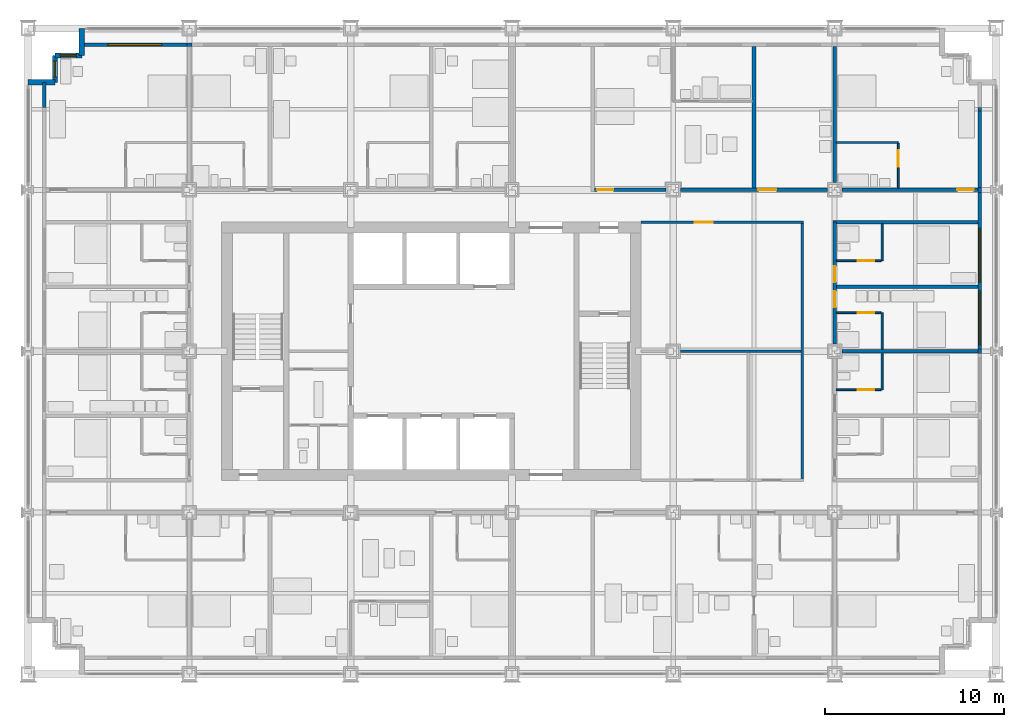
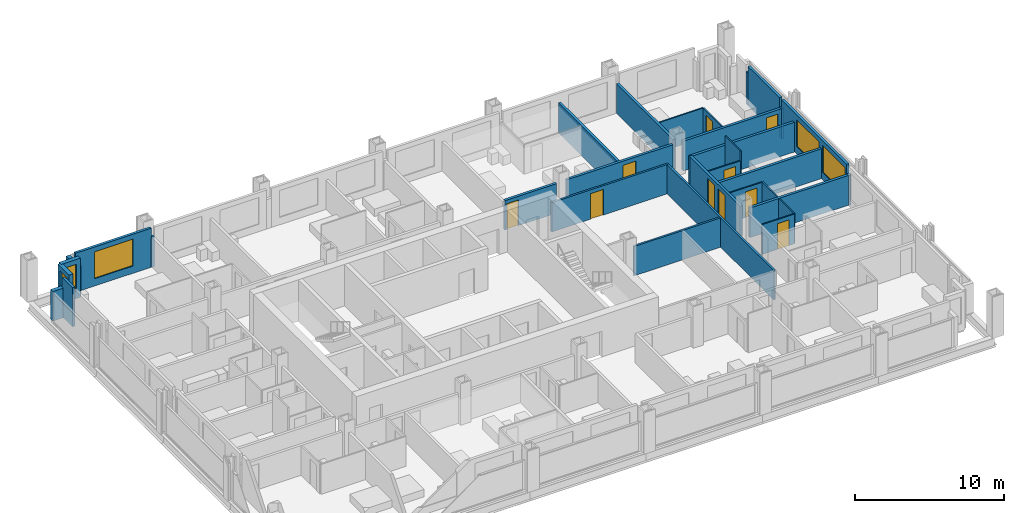
# One storey, part 14 of 18: 32 walls, 10 doors, 5 windows, 15 openings.
"""IFC4 building model written with IfcOpenShell, lengths in metres."""

from ifc_helpers import new_model, si_unit, direction, frame, frame_2d, origin, place, context, subcontext, project, spatial, rectangle, extrude, material, layer, layer_set, type_object, element, fill, save


model = new_model("IFC4")

# Units and contexts
model_context = context("Model", 3, precision=1e-05, world=origin(), true_north=direction((0.0, 1.0)))
body_context = subcontext(model_context, "Body", "Model", "MODEL_VIEW")
ifc_project = project(units=[si_unit("LENGTHUNIT", "METRE"), si_unit("AREAUNIT", "SQUARE_METRE"), si_unit("VOLUMEUNIT", "CUBIC_METRE"), si_unit("PLANEANGLEUNIT", "RADIAN"), si_unit("MASSUNIT", "GRAM", prefix="KILO")], contexts=[model_context])

# Site, building, storey
site_placement = place(None, origin())
site = spatial("IfcSite", under=ifc_project, at=site_placement, CompositionType="ELEMENT")
building_placement = place(site_placement, origin())
building = spatial("IfcBuilding", under=site, at=building_placement, Name="Loomwork Tower", CompositionType="ELEMENT")
storey_placement = place(building_placement, frame((0.0, 0.0, 51.800048828125)))
storey = spatial("IfcBuildingStorey", under=building, at=storey_placement, Name="L12", CompositionType="ELEMENT", Elevation=51.800048828125)

# Wall, opening, door
ifc_material_1 = material(Name="Gypsum board on steel studs, one-hour", Category="steel")
ifc_layer_1 = layer(ifc_material_1, 0.199951171875)
ifc_layer_set_1 = layer_set([ifc_layer_1], Name="Corridor wall 200")
wall_type_1 = type_object("IfcWallType", Name="Corridor wall 200", PredefinedType="PARTITIONING", material=ifc_layer_set_1)
wall_1_placement = place(storey_placement, frame((31.60009765625, 27.0, 0.0), z_axis=(0.0, 0.0, 1.0), x_axis=(1.0, 0.0, 0.0)))
wall_1 = element("IfcWall", 1, at=wall_1_placement, inside=storey, type_object=wall_type_1, Name="North corridor wall 4", PredefinedType="PARTITIONING", context=body_context, shape_type="SweptSolid", body=[
    extrude(rectangle(XDim=4.0, YDim=0.199951171875, at=frame_2d((2.0, 0.0))), origin(), (0.0, 0.0, 1.0), 2.405029296875),
])
opening_1_placement = place(wall_1_placement, frame((0.14990234375, 0.0, 0.0)))
opening_1 = element("IfcOpeningElement", 2, at=opening_1_placement, cuts=wall_1, Name="Opening D1", PredefinedType="OPENING", context=body_context, shape_type="SweptSolid", body=[
    extrude(rectangle(XDim=0.89990234375, YDim=2.10009765625, at=frame_2d((0.449951171875, 1.050048828125))), frame((0.0, 0.10986328125, 0.0), z_axis=(0.0, -1.0, 0.0), x_axis=(1.0, 0.0, 0.0)), (0.0, 0.0, 1.0), 0.219970703125),
])
ifc_material_2 = material(Name="Hollow metal door and frame")
door_type_1 = type_object("IfcDoorType", Name="Guest room entry door 900", OperationType="SINGLE_SWING_LEFT", PredefinedType="DOOR", material=ifc_material_2)
door_1_placement = place(opening_1_placement, origin())
door_1 = element("IfcDoor", 3, at=door_1_placement, inside=storey, type_object=door_type_1, Name="Guest room entry door L12 12", OperationType="SINGLE_SWING_LEFT", OverallHeight=2.10009765625, OverallWidth=0.89990234375, PredefinedType="DOOR", context=body_context, shape_type="SweptSolid", body=[
    extrude(rectangle(XDim=0.89990234375, YDim=2.10009765625, at=frame_2d((0.449951171875, 1.050048828125))), frame((0.0, 0.02490234375, 0.0), z_axis=(0.0, -1.0, 0.0), x_axis=(1.0, 0.0, 0.0)), (0.0, 0.0, 1.0), 0.050048828125),
])
fill(opening_1, door_1)

wall_2_placement = place(storey_placement, frame((36.39990234375, 27.0, 0.0), z_axis=(0.0, 0.0, 1.0), x_axis=(1.0, 0.0, 0.0)))
wall_2 = element("IfcWall", 4, at=wall_2_placement, inside=storey, type_object=wall_type_1, Name="North corridor wall 5", PredefinedType="PARTITIONING", context=body_context, shape_type="SweptSolid", body=[
    extrude(rectangle(XDim=8.2001953125, YDim=0.199951171875, at=frame_2d((4.10009765625, 0.0))), origin(), (0.0, 0.0, 1.0), 2.43798828125),
])
opening_2_placement = place(wall_2_placement, frame((4.35009765625, 0.0, 0.0)))
opening_2 = element("IfcOpeningElement", 5, at=opening_2_placement, cuts=wall_2, Name="Opening D15", PredefinedType="OPENING", context=body_context, shape_type="SweptSolid", body=[
    extrude(rectangle(XDim=1.0, YDim=2.10009765625, at=frame_2d((0.5, 1.050048828125))), frame((0.0, 0.10986328125, 0.0), z_axis=(0.0, -1.0, 0.0), x_axis=(1.0, 0.0, 0.0)), (0.0, 0.0, 1.0), 0.219970703125),
])
ifc_material_3 = material(Name="Hollow metal door and frame")
door_type_2 = type_object("IfcDoorType", Name="Fire-rated room door 1000", OperationType="SINGLE_SWING_LEFT", PredefinedType="DOOR", material=ifc_material_3)
door_2_placement = place(opening_2_placement, origin())
door_2 = element("IfcDoor", 6, at=door_2_placement, inside=storey, type_object=door_type_2, Name="Guest laundry door L12 13", OperationType="SINGLE_SWING_LEFT", OverallHeight=2.10009765625, OverallWidth=1.0, PredefinedType="DOOR", context=body_context, shape_type="SweptSolid", body=[
    extrude(rectangle(XDim=1.0, YDim=2.10009765625, at=frame_2d((0.5, 1.050048828125))), frame((0.0, 0.02490234375, 0.0), z_axis=(0.0, -1.0, 0.0), x_axis=(1.0, 0.0, 0.0)), (0.0, 0.0, 1.0), 0.050048828125),
])
fill(opening_2, door_2)

wall_3_placement = place(storey_placement, frame((45.39990234375, 27.0, 0.0), z_axis=(0.0, 0.0, 1.0), x_axis=(1.0, 0.0, 0.0)))
wall_3 = element("IfcWall", 7, at=wall_3_placement, inside=storey, type_object=wall_type_1, Name="North corridor wall 6", PredefinedType="PARTITIONING", context=body_context, shape_type="SweptSolid", body=[
    extrude(rectangle(XDim=7.60009765625, YDim=0.199951171875, at=frame_2d((3.800048828125, 0.0))), origin(), (0.0, 0.0, 1.0), 2.43798828125),
])
opening_3_placement = place(wall_3_placement, frame((6.449951171875, 0.0, 0.0)))
opening_3 = element("IfcOpeningElement", 8, at=opening_3_placement, cuts=wall_3, Name="Opening D1", PredefinedType="OPENING", context=body_context, shape_type="SweptSolid", body=[
    extrude(rectangle(XDim=0.89990234375, YDim=2.10009765625, at=frame_2d((0.449951171875, 1.050048828125))), frame((0.0, 0.10986328125, 0.0), z_axis=(0.0, -1.0, 0.0), x_axis=(1.0, 0.0, 0.0)), (0.0, 0.0, 1.0), 0.219970703125),
])
door_3_placement = place(opening_3_placement, origin())
door_3 = element("IfcDoor", 9, at=door_3_placement, inside=storey, type_object=door_type_1, Name="Guest room entry door L12 14", OperationType="SINGLE_SWING_RIGHT", OverallHeight=2.10009765625, OverallWidth=0.89990234375, PredefinedType="DOOR", context=body_context, shape_type="SweptSolid", body=[
    extrude(rectangle(XDim=0.89990234375, YDim=2.10009765625, at=frame_2d((0.449951171875, 1.050048828125))), frame((0.0, 0.02490234375, 0.0), z_axis=(0.0, -1.0, 0.0), x_axis=(1.0, 0.0, 0.0)), (0.0, 0.0, 1.0), 0.050048828125),
])
fill(opening_3, door_3)

# Wall, openings, doors
wall_4_placement = place(storey_placement, frame((45.0, 18.39990234375, 0.0), z_axis=(0.0, 0.0, 1.0), x_axis=(0.0, 1.0, 0.0)))
wall_4 = element("IfcWall", 10, at=wall_4_placement, inside=storey, type_object=wall_type_1, Name="East corridor wall 2", PredefinedType="PARTITIONING", context=body_context, shape_type="SweptSolid", body=[
    extrude(rectangle(XDim=6.800048828125, YDim=0.199951171875, at=frame_2d((3.39990234375, 0.0))), origin(), (0.0, 0.0, 1.0), 2.43798828125),
])
opening_4_placement = place(wall_4_placement, frame((2.050048828125, 0.0, 0.0)))
opening_4 = element("IfcOpeningElement", 11, at=opening_4_placement, cuts=wall_4, Name="Opening D1", PredefinedType="OPENING", context=body_context, shape_type="SweptSolid", body=[
    extrude(rectangle(XDim=0.89990234375, YDim=2.10009765625, at=frame_2d((0.449951171875, 1.050048828125))), frame((0.0, 0.10986328125, 0.0), z_axis=(0.0, -1.0, 0.0), x_axis=(1.0, 0.0, 0.0)), (0.0, 0.0, 1.0), 0.219970703125),
])
opening_5_placement = place(wall_4_placement, frame((3.449951171875, 0.0, 0.0)))
opening_5 = element("IfcOpeningElement", 12, at=opening_5_placement, cuts=wall_4, Name="Opening D1", PredefinedType="OPENING", context=body_context, shape_type="SweptSolid", body=[
    extrude(rectangle(XDim=0.89990234375, YDim=2.10009765625, at=frame_2d((0.449951171875, 1.050048828125))), frame((0.0, 0.10986328125, 0.0), z_axis=(0.0, -1.0, 0.0), x_axis=(1.0, 0.0, 0.0)), (0.0, 0.0, 1.0), 0.219970703125),
])
door_4_placement = place(opening_4_placement, frame((0.89990234375, 0.0, 0.0), z_axis=(0.0, 0.0, 1.0), x_axis=(-1.0, 0.0, 0.0)))
door_4 = element("IfcDoor", 13, at=door_4_placement, inside=storey, type_object=door_type_1, Name="Guest room entry door L12 21", OperationType="SINGLE_SWING_LEFT", OverallHeight=2.10009765625, OverallWidth=0.89990234375, PredefinedType="DOOR", context=body_context, shape_type="SweptSolid", body=[
    extrude(rectangle(XDim=0.89990234375, YDim=2.10009765625, at=frame_2d((0.449951171875, 1.050048828125))), frame((0.0, 0.02490234375, 0.0), z_axis=(0.0, -1.0, 0.0), x_axis=(1.0, 0.0, 0.0)), (0.0, 0.0, 1.0), 0.050048828125),
])
fill(opening_4, door_4)
door_5_placement = place(opening_5_placement, frame((0.89990234375, 0.0, 0.0), z_axis=(0.0, 0.0, 1.0), x_axis=(-1.0, 0.0, 0.0)))
door_5 = element("IfcDoor", 14, at=door_5_placement, inside=storey, type_object=door_type_1, Name="Guest room entry door L12 22", OperationType="SINGLE_SWING_RIGHT", OverallHeight=2.10009765625, OverallWidth=0.89990234375, PredefinedType="DOOR", context=body_context, shape_type="SweptSolid", body=[
    extrude(rectangle(XDim=0.89990234375, YDim=2.10009765625, at=frame_2d((0.449951171875, 1.050048828125))), frame((0.0, 0.02490234375, 0.0), z_axis=(0.0, -1.0, 0.0), x_axis=(1.0, 0.0, 0.0)), (0.0, 0.0, 1.0), 0.050048828125),
])
fill(opening_5, door_5)

# Walls
wall_5_placement = place(storey_placement, frame((44.89990234375, 25.199951171875, 0.0), z_axis=(0.0, 0.0, 1.0), x_axis=(1.0, 0.0, 0.0)))
element("IfcWall", 15, at=wall_5_placement, inside=storey, type_object=wall_type_1, Name="East band end wall N", PredefinedType="PARTITIONING", context=body_context, shape_type="SweptSolid", body=[
    extrude(rectangle(XDim=8.10009765625, YDim=0.199951171875, at=frame_2d((4.050048828125, 0.0))), origin(), (0.0, 0.0, 1.0), 2.43798828125),
])
ifc_material_4 = material(Name="Cement board on steel studs", Category="steel")
ifc_layer_2 = layer(ifc_material_4, 0.10009765625)
ifc_layer_set_2 = layer_set([ifc_layer_2], Name="En-suite partition 100")
wall_type_2 = type_object("IfcWallType", Name="En-suite partition 100", PredefinedType="PARTITIONING", material=ifc_layer_set_2)
wall_6_placement = place(storey_placement, frame((45.10009765625, 29.64990234375, 0.0), z_axis=(0.0, 0.0, 1.0), x_axis=(1.0, 0.0, 0.0)))
element("IfcWall", 16, at=wall_6_placement, inside=storey, type_object=wall_type_2, Name="En-suite wall L12 room 14", PredefinedType="PARTITIONING", context=body_context, shape_type="SweptSolid", body=[
    extrude(rectangle(XDim=3.449951171875, YDim=0.10009765625, at=frame_2d((1.72509765625, 0.0))), origin(), (0.0, 0.0, 1.0), 2.43798828125),
])

# Wall, opening, door
wall_7_placement = place(storey_placement, frame((48.550048828125, 27.10009765625, 0.0), z_axis=(0.0, 0.0, 1.0), x_axis=(0.0, 1.0, 0.0)))
wall_7 = element("IfcWall", 17, at=wall_7_placement, inside=storey, type_object=wall_type_2, Name="En-suite side wall L12 room 14", PredefinedType="PARTITIONING", context=body_context, shape_type="SweptSolid", body=[
    extrude(rectangle(XDim=2.5, YDim=0.10009765625, at=frame_2d((1.25, 0.0))), origin(), (0.0, 0.0, 1.0), 2.43798828125),
])
opening_6_placement = place(wall_7_placement, frame((1.199951171875, 0.0, 0.0)))
opening_6 = element("IfcOpeningElement", 18, at=opening_6_placement, cuts=wall_7, Name="Opening D2", PredefinedType="OPENING", context=body_context, shape_type="SweptSolid", body=[
    extrude(rectangle(XDim=0.89990234375, YDim=2.10009765625, at=frame_2d((0.449951171875, 1.050048828125))), frame((0.0, 0.06005859375, 0.0), z_axis=(0.0, -1.0, 0.0), x_axis=(1.0, 0.0, 0.0)), (0.0, 0.0, 1.0), 0.1201171875),
])
ifc_material_5 = material(Name="Hollow metal door and frame")
door_type_3 = type_object("IfcDoorType", Name="En-suite door 900", OperationType="SINGLE_SWING_LEFT", PredefinedType="DOOR", material=ifc_material_5)
door_6_placement = place(opening_6_placement, origin())
door_6 = element("IfcDoor", 19, at=door_6_placement, inside=storey, type_object=door_type_3, Name="En-suite door room 14", OperationType="SINGLE_SWING_RIGHT", OverallHeight=2.10009765625, OverallWidth=0.89990234375, PredefinedType="DOOR", context=body_context, shape_type="SweptSolid", body=[
    extrude(rectangle(XDim=0.89990234375, YDim=2.10009765625, at=frame_2d((0.449951171875, 1.050048828125))), frame((0.0, 0.02490234375, 0.0), z_axis=(0.0, -1.0, 0.0), x_axis=(1.0, 0.0, 0.0)), (0.0, 0.0, 1.0), 0.050048828125),
])
fill(opening_6, door_6)

# Wall
wall_8_placement = place(storey_placement, frame((47.64990234375, 15.85009765625, 0.0), z_axis=(0.0, 0.0, 1.0), x_axis=(0.0, 1.0, 0.0)))
element("IfcWall", 20, at=wall_8_placement, inside=storey, type_object=wall_type_2, Name="En-suite wall L12 room 20", PredefinedType="PARTITIONING", context=body_context, shape_type="SweptSolid", body=[
    extrude(rectangle(XDim=2.0498046875, YDim=0.10009765625, at=frame_2d((1.02490234375, 0.0))), origin(), (0.0, 0.0, 1.0), 2.43798828125),
])

# Wall, opening, door
wall_9_placement = place(storey_placement, frame((45.10009765625, 15.85009765625, 0.0), z_axis=(0.0, 0.0, 1.0), x_axis=(1.0, 0.0, 0.0)))
wall_9 = element("IfcWall", 21, at=wall_9_placement, inside=storey, type_object=wall_type_2, Name="En-suite side wall L12 room 20", PredefinedType="PARTITIONING", context=body_context, shape_type="SweptSolid", body=[
    extrude(rectangle(XDim=2.5, YDim=0.10009765625, at=frame_2d((1.25, 0.0))), origin(), (0.0, 0.0, 1.0), 2.43798828125),
])
opening_7_placement = place(wall_9_placement, frame((1.199951171875, 0.0, 0.0)))
opening_7 = element("IfcOpeningElement", 22, at=opening_7_placement, cuts=wall_9, Name="Opening D2", PredefinedType="OPENING", context=body_context, shape_type="SweptSolid", body=[
    extrude(rectangle(XDim=0.89990234375, YDim=2.10009765625, at=frame_2d((0.449951171875, 1.050048828125))), frame((0.0, 0.06005859375, 0.0), z_axis=(0.0, -1.0, 0.0), x_axis=(1.0, 0.0, 0.0)), (0.0, 0.0, 1.0), 0.1201171875),
])
door_7_placement = place(opening_7_placement, origin())
door_7 = element("IfcDoor", 23, at=door_7_placement, inside=storey, type_object=door_type_3, Name="En-suite door room 20", OperationType="SINGLE_SWING_RIGHT", OverallHeight=2.10009765625, OverallWidth=0.89990234375, PredefinedType="DOOR", context=body_context, shape_type="SweptSolid", body=[
    extrude(rectangle(XDim=0.89990234375, YDim=2.10009765625, at=frame_2d((0.449951171875, 1.050048828125))), frame((0.0, 0.02490234375, 0.0), z_axis=(0.0, -1.0, 0.0), x_axis=(1.0, 0.0, 0.0)), (0.0, 0.0, 1.0), 0.050048828125),
])
fill(opening_7, door_7)

# Wall
wall_10_placement = place(storey_placement, frame((47.64990234375, 18.10009765625, 0.0), z_axis=(0.0, 0.0, 1.0), x_axis=(0.0, 1.0, 0.0)))
element("IfcWall", 24, at=wall_10_placement, inside=storey, type_object=wall_type_2, Name="En-suite wall L12 room 21", PredefinedType="PARTITIONING", context=body_context, shape_type="SweptSolid", body=[
    extrude(rectangle(XDim=2.0498046875, YDim=0.10009765625, at=frame_2d((1.02490234375, 0.0))), origin(), (0.0, 0.0, 1.0), 2.43798828125),
])

# Wall, opening, door
wall_11_placement = place(storey_placement, frame((45.10009765625, 20.14990234375, 0.0), z_axis=(0.0, 0.0, 1.0), x_axis=(1.0, 0.0, 0.0)))
wall_11 = element("IfcWall", 25, at=wall_11_placement, inside=storey, type_object=wall_type_2, Name="En-suite side wall L12 room 21", PredefinedType="PARTITIONING", context=body_context, shape_type="SweptSolid", body=[
    extrude(rectangle(XDim=2.5, YDim=0.10009765625, at=frame_2d((1.25, 0.0))), origin(), (0.0, 0.0, 1.0), 2.43798828125),
])
opening_8_placement = place(wall_11_placement, frame((1.199951171875, 0.0, 0.0)))
opening_8 = element("IfcOpeningElement", 26, at=opening_8_placement, cuts=wall_11, Name="Opening D2", PredefinedType="OPENING", context=body_context, shape_type="SweptSolid", body=[
    extrude(rectangle(XDim=0.89990234375, YDim=2.10009765625, at=frame_2d((0.449951171875, 1.050048828125))), frame((0.0, 0.06005859375, 0.0), z_axis=(0.0, -1.0, 0.0), x_axis=(1.0, 0.0, 0.0)), (0.0, 0.0, 1.0), 0.1201171875),
])
door_8_placement = place(opening_8_placement, frame((0.89990234375, 0.0, 0.0), z_axis=(0.0, 0.0, 1.0), x_axis=(-1.0, 0.0, 0.0)))
door_8 = element("IfcDoor", 27, at=door_8_placement, inside=storey, type_object=door_type_3, Name="En-suite door room 21", OperationType="SINGLE_SWING_LEFT", OverallHeight=2.10009765625, OverallWidth=0.89990234375, PredefinedType="DOOR", context=body_context, shape_type="SweptSolid", body=[
    extrude(rectangle(XDim=0.89990234375, YDim=2.10009765625, at=frame_2d((0.449951171875, 1.050048828125))), frame((0.0, 0.02490234375, 0.0), z_axis=(0.0, -1.0, 0.0), x_axis=(1.0, 0.0, 0.0)), (0.0, 0.0, 1.0), 0.050048828125),
])
fill(opening_8, door_8)

# Wall
wall_12_placement = place(storey_placement, frame((47.64990234375, 23.050048828125, 0.0), z_axis=(0.0, 0.0, 1.0), x_axis=(0.0, 1.0, 0.0)))
element("IfcWall", 28, at=wall_12_placement, inside=storey, type_object=wall_type_2, Name="En-suite wall L12 room 22", PredefinedType="PARTITIONING", context=body_context, shape_type="SweptSolid", body=[
    extrude(rectangle(XDim=2.050048828125, YDim=0.10009765625, at=frame_2d((1.02490234375, 0.0))), origin(), (0.0, 0.0, 1.0), 3.199951171875),
])

# Wall, opening, door
wall_13_placement = place(storey_placement, frame((45.10009765625, 23.050048828125, 0.0), z_axis=(0.0, 0.0, 1.0), x_axis=(1.0, 0.0, 0.0)))
wall_13 = element("IfcWall", 29, at=wall_13_placement, inside=storey, type_object=wall_type_2, Name="En-suite side wall L12 room 22", PredefinedType="PARTITIONING", context=body_context, shape_type="SweptSolid", body=[
    extrude(rectangle(XDim=2.5, YDim=0.10009765625, at=frame_2d((1.25, 0.0))), origin(), (0.0, 0.0, 1.0), 2.43798828125),
])
opening_9_placement = place(wall_13_placement, frame((1.199951171875, 0.0, 0.0)))
opening_9 = element("IfcOpeningElement", 30, at=opening_9_placement, cuts=wall_13, Name="Opening D3", PredefinedType="OPENING", context=body_context, shape_type="SweptSolid", body=[
    extrude(rectangle(XDim=0.89990234375, YDim=2.10009765625, at=frame_2d((0.449951171875, 1.050048828125))), frame((0.0, 0.06005859375, 0.0), z_axis=(0.0, -1.0, 0.0), x_axis=(1.0, 0.0, 0.0)), (0.0, 0.0, 1.0), 0.1201171875),
])
ifc_material_6 = material(Name="Hollow metal door and frame")
door_type_4 = type_object("IfcDoorType", Name="Accessible en-suite door 900", OperationType="SLIDING_TO_LEFT", PredefinedType="DOOR", material=ifc_material_6)
door_9_placement = place(opening_9_placement, origin())
door_9 = element("IfcDoor", 31, at=door_9_placement, inside=storey, type_object=door_type_4, Name="Accessible en-suite door room 22", OperationType="SLIDING_TO_LEFT", OverallHeight=2.10009765625, OverallWidth=0.89990234375, PredefinedType="DOOR", context=body_context, shape_type="SweptSolid", body=[
    extrude(rectangle(XDim=0.89990234375, YDim=2.10009765625, at=frame_2d((0.449951171875, 1.050048828125))), frame((0.0, 0.02490234375, 0.0), z_axis=(0.0, -1.0, 0.0), x_axis=(1.0, 0.0, 0.0)), (0.0, 0.0, 1.0), 0.050048828125),
])
fill(opening_9, door_9)

# Walls
ifc_material_7 = material(Name="Gypsum board on steel studs, acoustic", Category="steel")
ifc_layer_3 = layer(ifc_material_7, 0.199951171875)
ifc_layer_set_3 = layer_set([ifc_layer_3], Name="Guest room party wall 200")
wall_type_3 = type_object("IfcWallType", Name="Guest room party wall 200", PredefinedType="PARTITIONING", material=ifc_layer_set_3)
wall_14_placement = place(storey_placement, frame((40.5, 27.10009765625, 0.0), z_axis=(0.0, 0.0, 1.0), x_axis=(0.0, 1.0, 0.0)))
element("IfcWall", 32, at=wall_14_placement, inside=storey, type_object=wall_type_3, Name="Guest room party wall N 40.5", PredefinedType="PARTITIONING", context=body_context, shape_type="SweptSolid", body=[
    extrude(rectangle(XDim=7.89990234375, YDim=0.199951171875, at=frame_2d((3.949951171875, 0.0))), origin(), (0.0, 0.0, 1.0), 2.43798828125),
])
for number, where, z_axis, x_axis, name in (
    (33, (45.0, 27.39990234375, 0.0), (0.0, 0.0, 1.0), (0.0, 1.0, 0.0), "Guest room party wall N 45"),
    (34, (45.39990234375, 18.0, 0.0), (0.0, 0.0, 1.0), (1.0, 0.0, 0.0), "Guest room party wall E 18"),
):
    element("IfcWall", number, at=place(storey_placement, frame(where, z_axis=z_axis, x_axis=x_axis)), inside=storey, type_object=wall_type_3, Name=name, PredefinedType="PARTITIONING", context=body_context, shape_type="SweptSolid", body=[
        extrude(rectangle(XDim=7.60009765625, YDim=0.199951171875, at=frame_2d((3.800048828125, 0.0))), origin(), (0.0, 0.0, 1.0), 2.43798828125),
    ])
wall_15_placement = place(storey_placement, frame((45.10009765625, 21.60009765625, 0.0), z_axis=(0.0, 0.0, 1.0), x_axis=(1.0, 0.0, 0.0)))
element("IfcWall", 35, at=wall_15_placement, inside=storey, type_object=wall_type_3, Name="Guest room party wall E 21.6", PredefinedType="PARTITIONING", context=body_context, shape_type="SweptSolid", body=[
    extrude(rectangle(XDim=7.89990234375, YDim=0.199951171875, at=frame_2d((3.949951171875, 0.0))), origin(), (0.0, 0.0, 1.0), 2.43798828125),
])

# Wall, opening, window
ifc_material_8 = material(Name="Insulated steel stud wall with gypsum lining", Category="steel")
ifc_layer_4 = layer(ifc_material_8, 0.199951171875)
ifc_layer_set_4 = layer_set([ifc_layer_4], Name="Inner skin wall 200")
wall_type_4 = type_object("IfcWallType", Name="Inner skin wall 200", PredefinedType="SOLIDWALL", material=ifc_layer_set_4)
wall_16_placement = place(storey_placement, frame((3.0, 35.10009765625, 0.0), z_axis=(0.0, 0.0, 1.0), x_axis=(1.0, 0.0, 0.0)))
wall_16 = element("IfcWall", 36, at=wall_16_placement, inside=storey, type_object=wall_type_4, Name="Inner skin wall N", PredefinedType="SOLIDWALL", context=body_context, shape_type="SweptSolid", body=[
    extrude(rectangle(XDim=5.86474609375, YDim=0.199951171875, at=frame_2d((2.932373046875, 0.0))), origin(), (0.0, 0.0, 1.0), 3.199951171875),
])
opening_10_placement = place(wall_16_placement, frame((1.449951171875, 0.0, 0.60009765625)))
opening_10 = element("IfcOpeningElement", 37, at=opening_10_placement, cuts=wall_16, Name="Opening CH1", PredefinedType="OPENING", context=body_context, shape_type="SweptSolid", body=[
    extrude(rectangle(XDim=3.0, YDim=2.199951171875, at=frame_2d((1.5, 1.10009765625))), frame((0.0, 0.10986328125, 0.0), z_axis=(0.0, -1.0, 0.0), x_axis=(1.0, 0.0, 0.0)), (0.0, 0.0, 1.0), 0.219970703125),
])
ifc_material_9 = material(Name="Aluminium frame with clear insulated glass", Category="aluminium")
window_type_1 = type_object("IfcWindowType", Name="Chicago window 3000", PartitioningType="TRIPLE_PANEL_VERTICAL", PredefinedType="WINDOW", material=ifc_material_9)
window_1_placement = place(opening_10_placement, origin())
window_1 = element("IfcWindow", 38, at=window_1_placement, inside=storey, type_object=window_type_1, Name="Chicago window L12 bay 7", OverallHeight=2.199951171875, OverallWidth=3.0, PartitioningType="TRIPLE_PANEL_VERTICAL", PredefinedType="WINDOW", context=body_context, shape_type="SweptSolid", body=[
    extrude(rectangle(XDim=3.0, YDim=2.199951171875, at=frame_2d((1.5, 1.10009765625))), frame((0.0, 0.030029296875, 0.0), z_axis=(0.0, -1.0, 0.0), x_axis=(1.0, 0.0, 0.0)), (0.0, 0.0, 1.0), 0.06005859375),
])
fill(opening_10, window_1)

# Walls
wall_17_placement = place(storey_placement, frame((0.89990234375, 31.607421875, 0.0), z_axis=(0.0, 0.0, 1.0), x_axis=(0.0, 1.0, 0.0)))
element("IfcWall", 39, at=wall_17_placement, inside=storey, type_object=wall_type_4, Name="Inner skin wall W bay 11", PredefinedType="SOLIDWALL", context=body_context, shape_type="SweptSolid", body=[
    extrude(rectangle(XDim=1.392578125, YDim=0.199951171875, at=frame_2d((0.6962890625, 0.0))), origin(), (0.0, 0.0, 1.0), 3.199951171875),
])
wall_18_placement = place(storey_placement, frame((8.86474609375, 35.10009765625, 0.0), z_axis=(0.0, 0.0, 1.0), x_axis=(1.0, 0.0, 0.0)))
element("IfcWall", 40, at=wall_18_placement, inside=storey, type_object=wall_type_4, Name="Inner skin wall N bay 2", PredefinedType="SOLIDWALL", context=body_context, shape_type="SweptSolid", body=[
    extrude(rectangle(XDim=0.2705078125, YDim=0.199951171875, at=frame_2d((0.13525390625, 0.0))), origin(), (0.0, 0.0, 1.0), 2.43798828125),
])
wall_19_placement = place(storey_placement, frame((53.10009765625, 17.864501953125, 0.0), z_axis=(0.0, 0.0, 1.0), x_axis=(0.0, 1.0, 0.0)))
element("IfcWall", 41, at=wall_19_placement, inside=storey, type_object=wall_type_4, Name="Inner skin wall E bay 6", PredefinedType="SOLIDWALL", context=body_context, shape_type="SweptSolid", body=[
    extrude(rectangle(XDim=0.27099609375, YDim=0.199951171875, at=frame_2d((0.135498046875, 0.0))), origin(), (0.0, 0.0, 1.0), 2.43798828125),
])

# Wall, openings, windows
wall_20_placement = place(storey_placement, frame((53.10009765625, 18.135498046875, 0.0), z_axis=(0.0, 0.0, 1.0), x_axis=(0.0, 1.0, 0.0)))
wall_20 = element("IfcWall", 42, at=wall_20_placement, inside=storey, type_object=wall_type_4, Name="Inner skin wall E bay 7", PredefinedType="SOLIDWALL", context=body_context, shape_type="SweptSolid", body=[
    extrude(rectangle(XDim=8.729248046875, YDim=0.199951171875, at=frame_2d((4.36474609375, 0.0))), origin(), (0.0, 0.0, 1.0), 3.199951171875),
])
opening_11_placement = place(wall_20_placement, frame((0.214599609375, 0.0, 0.60009765625)))
opening_11 = element("IfcOpeningElement", 43, at=opening_11_placement, cuts=wall_20, Name="Opening CH1", PredefinedType="OPENING", context=body_context, shape_type="SweptSolid", body=[
    extrude(rectangle(XDim=3.0, YDim=2.199951171875, at=frame_2d((1.5, 1.10009765625))), frame((0.0, 0.10986328125, 0.0), z_axis=(0.0, -1.0, 0.0), x_axis=(1.0, 0.0, 0.0)), (0.0, 0.0, 1.0), 0.219970703125),
])
opening_12_placement = place(wall_20_placement, frame((3.714599609375, 0.0, 0.60009765625)))
opening_12 = element("IfcOpeningElement", 44, at=opening_12_placement, cuts=wall_20, Name="Opening CH1", PredefinedType="OPENING", context=body_context, shape_type="SweptSolid", body=[
    extrude(rectangle(XDim=3.0, YDim=2.199951171875, at=frame_2d((1.5, 1.10009765625))), frame((0.0, 0.10986328125, 0.0), z_axis=(0.0, -1.0, 0.0), x_axis=(1.0, 0.0, 0.0)), (0.0, 0.0, 1.0), 0.219970703125),
])
window_2_placement = place(opening_11_placement, origin())
window_2 = element("IfcWindow", 45, at=window_2_placement, inside=storey, type_object=window_type_1, Name="Chicago window L12 bay 16", OverallHeight=2.199951171875, OverallWidth=3.0, PartitioningType="TRIPLE_PANEL_VERTICAL", PredefinedType="WINDOW", context=body_context, shape_type="SweptSolid", body=[
    extrude(rectangle(XDim=3.0, YDim=2.199951171875, at=frame_2d((1.5, 1.10009765625))), frame((0.0, 0.030029296875, 0.0), z_axis=(0.0, -1.0, 0.0), x_axis=(1.0, 0.0, 0.0)), (0.0, 0.0, 1.0), 0.06005859375),
])
fill(opening_11, window_2)
window_3_placement = place(opening_12_placement, origin())
window_3 = element("IfcWindow", 46, at=window_3_placement, inside=storey, type_object=window_type_1, Name="Chicago window L12 bay 16", OverallHeight=2.199951171875, OverallWidth=3.0, PartitioningType="TRIPLE_PANEL_VERTICAL", PredefinedType="WINDOW", context=body_context, shape_type="SweptSolid", body=[
    extrude(rectangle(XDim=3.0, YDim=2.199951171875, at=frame_2d((1.5, 1.10009765625))), frame((0.0, 0.030029296875, 0.0), z_axis=(0.0, -1.0, 0.0), x_axis=(1.0, 0.0, 0.0)), (0.0, 0.0, 1.0), 0.06005859375),
])
fill(opening_12, window_3)

# Walls
wall_21_placement = place(storey_placement, frame((53.10009765625, 26.86474609375, 0.0), z_axis=(0.0, 0.0, 1.0), x_axis=(0.0, 1.0, 0.0)))
element("IfcWall", 47, at=wall_21_placement, inside=storey, type_object=wall_type_4, Name="Inner skin wall E bay 8", PredefinedType="SOLIDWALL", context=body_context, shape_type="SweptSolid", body=[
    extrude(rectangle(XDim=0.2705078125, YDim=0.199951171875, at=frame_2d((0.13525390625, 0.0))), origin(), (0.0, 0.0, 1.0), 2.43798828125),
])
wall_22_placement = place(storey_placement, frame((53.10009765625, 27.13525390625, 0.0), z_axis=(0.0, 0.0, 1.0), x_axis=(0.0, 1.0, 0.0)))
element("IfcWall", 48, at=wall_22_placement, inside=storey, type_object=wall_type_4, Name="Inner skin wall E bay 9", PredefinedType="SOLIDWALL", context=body_context, shape_type="SweptSolid", body=[
    extrude(rectangle(XDim=4.25732421875, YDim=0.199951171875, at=frame_2d((2.128662109375, 0.0))), origin(), (0.0, 0.0, 1.0), 3.199951171875),
])
wall_23_placement = place(storey_placement, frame((53.10009765625, 31.392578125, 0.0), z_axis=(0.0, 0.0, 1.0), x_axis=(0.0, 1.0, 0.0)))
element("IfcWall", 49, at=wall_23_placement, inside=storey, type_object=wall_type_4, Name="Inner skin wall E bay 10", PredefinedType="SOLIDWALL", context=body_context, shape_type="SweptSolid", body=[
    extrude(rectangle(XDim=0.21484375, YDim=0.199951171875, at=frame_2d((0.107421875, 0.0))), origin(), (0.0, 0.0, 1.0), 2.660888671875),
])
ifc_material_10 = material(Name="Limestone on concrete masonry", Category="masonry")
ifc_layer_5 = layer(ifc_material_10, 0.300048828125)
ifc_layer_set_5 = layer_set([ifc_layer_5], Name="Limestone corner wall 300")
wall_type_5 = type_object("IfcWallType", Name="Limestone corner wall 300", PredefinedType="SOLIDWALL", material=ifc_layer_set_5)
wall_24_placement = place(storey_placement, frame((3.0, 36.0, 0.0), z_axis=(0.0, 0.0, 1.0), x_axis=(0.0, -1.0, 0.0)))
element("IfcWall", 50, at=wall_24_placement, inside=storey, type_object=wall_type_5, Name="Stone corner wall NW 1", PredefinedType="SOLIDWALL", context=body_context, shape_type="SweptSolid", body=[
    extrude(rectangle(XDim=1.5, YDim=0.300048828125, at=frame_2d((0.75, 0.0))), origin(), (0.0, 0.0, 1.0), 2.419921875),
])

# Wall, opening, window
wall_25_placement = place(storey_placement, frame((3.0, 34.5, 0.0), z_axis=(0.0, 0.0, 1.0), x_axis=(-1.0, 0.0, 0.0)))
wall_25 = element("IfcWall", 51, at=wall_25_placement, inside=storey, type_object=wall_type_5, Name="Stone corner wall NW 2", PredefinedType="SOLIDWALL", context=body_context, shape_type="SweptSolid", body=[
    extrude(rectangle(XDim=1.5, YDim=0.300048828125, at=frame_2d((0.75, 0.0))), origin(), (0.0, 0.0, 1.0), 3.199951171875),
])
opening_13_placement = place(wall_25_placement, frame((0.300048828125, 0.0, 0.60009765625)))
opening_13 = element("IfcOpeningElement", 52, at=opening_13_placement, cuts=wall_25, Name="Opening CH2", PredefinedType="OPENING", context=body_context, shape_type="SweptSolid", body=[
    extrude(rectangle(XDim=0.89990234375, YDim=2.199951171875, at=frame_2d((0.449951171875, 1.10009765625))), frame((0.0, 0.159912109375, 0.0), z_axis=(0.0, -1.0, 0.0), x_axis=(1.0, 0.0, 0.0)), (0.0, 0.0, 1.0), 0.320068359375),
])
ifc_material_11 = material(Name="Aluminium frame with clear insulated glass", Category="aluminium")
window_type_2 = type_object("IfcWindowType", Name="Corner window 900", PartitioningType="SINGLE_PANEL", PredefinedType="WINDOW", material=ifc_material_11)
window_4_placement = place(opening_13_placement, origin())
window_4 = element("IfcWindow", 53, at=window_4_placement, inside=storey, type_object=window_type_2, Name="Corner window NW", OverallHeight=2.199951171875, OverallWidth=0.89990234375, PartitioningType="SINGLE_PANEL", PredefinedType="WINDOW", context=body_context, shape_type="SweptSolid", body=[
    extrude(rectangle(XDim=0.89990234375, YDim=2.199951171875, at=frame_2d((0.449951171875, 1.10009765625))), frame((0.0, 0.030029296875, 0.0), z_axis=(0.0, -1.0, 0.0), x_axis=(1.0, 0.0, 0.0)), (0.0, 0.0, 1.0), 0.06005859375),
])
fill(opening_13, window_4)

wall_26_placement = place(storey_placement, frame((1.5, 34.5, 0.0), z_axis=(0.0, 0.0, 1.0), x_axis=(0.0, -1.0, 0.0)))
wall_26 = element("IfcWall", 54, at=wall_26_placement, inside=storey, type_object=wall_type_5, Name="Stone corner wall NW 3", PredefinedType="SOLIDWALL", context=body_context, shape_type="SweptSolid", body=[
    extrude(rectangle(XDim=1.5, YDim=0.300048828125, at=frame_2d((0.75, 0.0))), origin(), (0.0, 0.0, 1.0), 3.199951171875),
])
opening_14_placement = place(wall_26_placement, frame((0.300048828125, 0.0, 0.60009765625)))
opening_14 = element("IfcOpeningElement", 55, at=opening_14_placement, cuts=wall_26, Name="Opening CH2", PredefinedType="OPENING", context=body_context, shape_type="SweptSolid", body=[
    extrude(rectangle(XDim=0.89990234375, YDim=2.199951171875, at=frame_2d((0.449951171875, 1.10009765625))), frame((0.0, 0.159912109375, 0.0), z_axis=(0.0, -1.0, 0.0), x_axis=(1.0, 0.0, 0.0)), (0.0, 0.0, 1.0), 0.320068359375),
])
window_5_placement = place(opening_14_placement, origin())
window_5 = element("IfcWindow", 56, at=window_5_placement, inside=storey, type_object=window_type_2, Name="Corner window NW", OverallHeight=2.199951171875, OverallWidth=0.89990234375, PartitioningType="SINGLE_PANEL", PredefinedType="WINDOW", context=body_context, shape_type="SweptSolid", body=[
    extrude(rectangle(XDim=0.89990234375, YDim=2.199951171875, at=frame_2d((0.449951171875, 1.10009765625))), frame((0.0, 0.030029296875, 0.0), z_axis=(0.0, -1.0, 0.0), x_axis=(1.0, 0.0, 0.0)), (0.0, 0.0, 1.0), 0.06005859375),
])
fill(opening_14, window_5)

# Wall
wall_27_placement = place(storey_placement, frame((1.5, 33.0, 0.0), z_axis=(0.0, 0.0, 1.0), x_axis=(-1.0, 0.0, 0.0)))
element("IfcWall", 57, at=wall_27_placement, inside=storey, type_object=wall_type_5, Name="Stone corner wall NW 4", PredefinedType="SOLIDWALL", context=body_context, shape_type="SweptSolid", body=[
    extrude(rectangle(XDim=1.5, YDim=0.300048828125, at=frame_2d((0.75, 0.0))), origin(), (0.0, 0.0, 1.0), 2.419921875),
])

# Wall, opening, door
ifc_material_12 = material(Name="Gypsum board on steel studs, one-hour", Category="steel")
ifc_layer_6 = layer(ifc_material_12, 0.14990234375)
ifc_layer_set_6 = layer_set([ifc_layer_6], Name="Service partition 150")
wall_type_6 = type_object("IfcWallType", Name="Service partition 150", PredefinedType="PARTITIONING", material=ifc_layer_set_6)
wall_28_placement = place(storey_placement, frame((34.199951171875, 25.199951171875, 0.0), z_axis=(0.0, 0.0, 1.0), x_axis=(1.0, 0.0, 0.0)))
wall_28 = element("IfcWall", 58, at=wall_28_placement, inside=storey, type_object=wall_type_6, Name="Service block wall N", PredefinedType="PARTITIONING", context=body_context, shape_type="SweptSolid", body=[
    extrude(rectangle(XDim=9.074951171875, YDim=0.14990234375, at=frame_2d((4.53759765625, 0.0))), origin(), (0.0, 0.0, 1.0), 2.404052734375),
])
opening_15_placement = place(wall_28_placement, frame((3.0, 0.0, 0.0)))
opening_15 = element("IfcOpeningElement", 59, at=opening_15_placement, cuts=wall_28, Name="Opening D5", PredefinedType="OPENING", context=body_context, shape_type="SweptSolid", body=[
    extrude(rectangle(XDim=1.0, YDim=2.10009765625, at=frame_2d((0.5, 1.050048828125))), frame((0.0, 0.0849609375, 0.0), z_axis=(0.0, -1.0, 0.0), x_axis=(1.0, 0.0, 0.0)), (0.0, 0.0, 1.0), 0.169921875),
])
ifc_material_13 = material(Name="Hollow metal door and frame")
door_type_5 = type_object("IfcDoorType", Name="Service door 1000", OperationType="SINGLE_SWING_LEFT", PredefinedType="DOOR", material=ifc_material_13)
door_10_placement = place(opening_15_placement, frame((1.0, 0.0, 0.0), z_axis=(0.0, 0.0, 1.0), x_axis=(-1.0, 0.0, 0.0)))
door_10 = element("IfcDoor", 60, at=door_10_placement, inside=storey, type_object=door_type_5, Name="Riser room door", OperationType="SINGLE_SWING_LEFT", OverallHeight=2.10009765625, OverallWidth=1.0, PredefinedType="DOOR", context=body_context, shape_type="SweptSolid", body=[
    extrude(rectangle(XDim=1.0, YDim=2.10009765625, at=frame_2d((0.5, 1.050048828125))), frame((0.0, 0.02490234375, 0.0), z_axis=(0.0, -1.0, 0.0), x_axis=(1.0, 0.0, 0.0)), (0.0, 0.0, 1.0), 0.050048828125),
])
fill(opening_15, door_10)

# Walls
wall_29_placement = place(storey_placement, frame((43.199951171875, 10.800048828125, 0.0), z_axis=(0.0, 0.0, 1.0), x_axis=(0.0, 1.0, 0.0)))
element("IfcWall", 61, at=wall_29_placement, inside=storey, type_object=wall_type_6, Name="Service block east wall", PredefinedType="PARTITIONING", context=body_context, shape_type="SweptSolid", body=[
    extrude(rectangle(XDim=14.39990234375, YDim=0.14990234375, at=frame_2d((7.199951171875, 0.0))), origin(), (0.0, 0.0, 1.0), 2.404052734375),
])
wall_30_placement = place(storey_placement, frame((36.39990234375, 18.0, 0.0), z_axis=(0.0, 0.0, 1.0), x_axis=(1.0, 0.0, 0.0)))
element("IfcWall", 62, at=wall_30_placement, inside=storey, type_object=wall_type_6, Name="Service block divider", PredefinedType="PARTITIONING", context=body_context, shape_type="SweptSolid", body=[
    extrude(rectangle(XDim=6.72509765625, YDim=0.14990234375, at=frame_2d((3.362548828125, 0.0))), origin(), (0.0, 0.0, 1.0), 2.405029296875),
])

save(model, "model.ifc")
